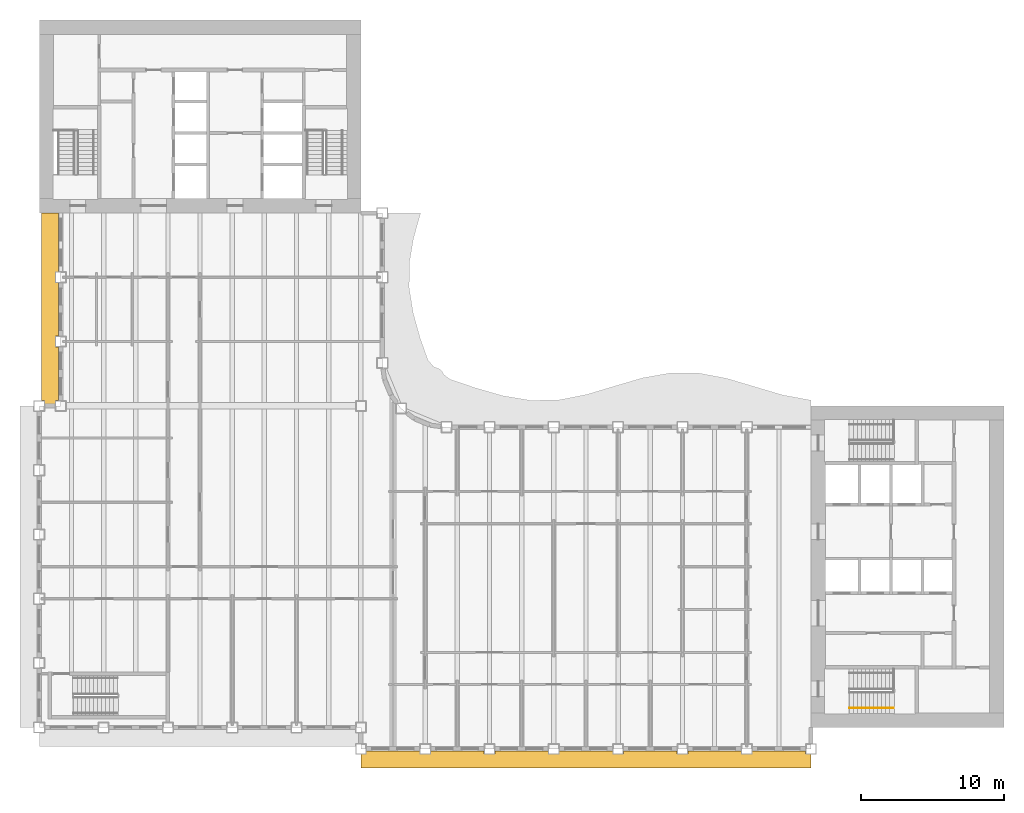
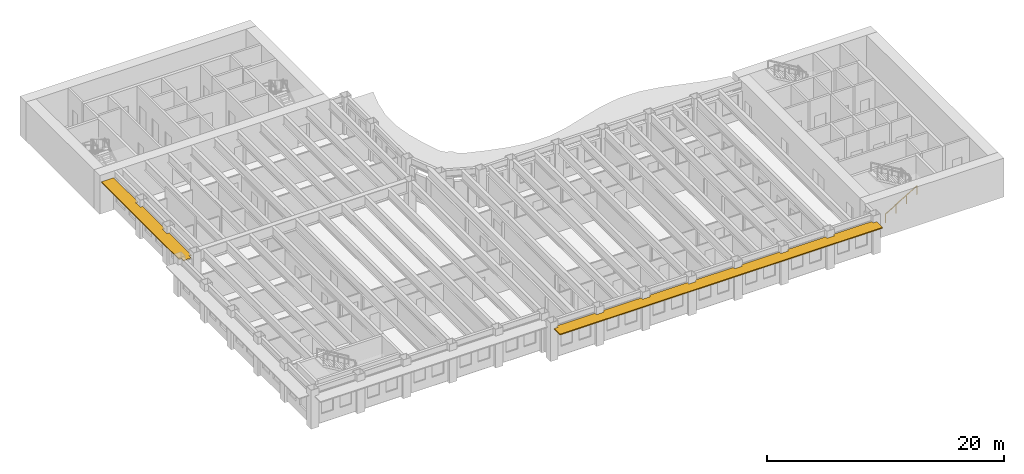
# One storey, part 13 of 17: 2 shading devices, 1 railing.
"""IFC4 building model written with IfcOpenShell, lengths in metres."""

from ifc_helpers import new_model, si_unit, direction, frame, origin, origin_2d, place, context, subcontext, project, spatial, polyline, rectangle, outline, extrude, material, layer, layer_set, type_object, element, save


model = new_model("IFC4")

# Units and contexts
model_context = context("Model", 3, precision=1e-05, world=origin(), true_north=direction((0.0, 1.0)))
body_context = subcontext(model_context, "Body", "Model", "MODEL_VIEW")
ifc_project = project(units=[si_unit("LENGTHUNIT", "METRE"), si_unit("AREAUNIT", "SQUARE_METRE"), si_unit("VOLUMEUNIT", "CUBIC_METRE"), si_unit("PLANEANGLEUNIT", "RADIAN"), si_unit("MASSUNIT", "GRAM", prefix="KILO")], contexts=[model_context])

# Site, building, storey
site_placement = place(None, origin())
site = spatial("IfcSite", under=ifc_project, at=site_placement, CompositionType="ELEMENT")
building_placement = place(site_placement, origin())
building = spatial("IfcBuilding", under=site, at=building_placement, Name="Sennacour Bend Tower", CompositionType="ELEMENT")
storey_placement = place(building_placement, frame((0.0, 0.0, 195.0)))
storey = spatial("IfcBuildingStorey", under=building, at=storey_placement, Name="L44", CompositionType="ELEMENT", Elevation=195.0)

# Railing
ifc_material_1 = material(Name="Stainless steel", Category="steel")
railing_type = type_object("IfcRailingType", Name="RL-HANDRAIL-900", PredefinedType="HANDRAIL", material=ifc_material_1)
railing_placement = place(storey_placement, frame((56.699951171875, 1.35009765625, 0.166748046875)))
element("IfcRailing", 1, at=railing_placement, inside=storey, type_object=railing_type, Name="L44 SA1 stair handrail 1", PredefinedType="HANDRAIL", context=body_context, shape_type="SweptSolid", body=[
    extrude(rectangle(XDim=0.048095703125, YDim=0.048095703125, at=origin_2d()), frame((0.0, 0.0, 0.8759765625), z_axis=(0.859308565015, 0.0, 0.511457515432), x_axis=(0.0, 1.0, 0.0)), (0.0, 0.0, 1.0), 3.58447265625),
    extrude(rectangle(XDim=0.0419921875, YDim=0.0419921875, at=origin_2d()), origin(), (0.0, 0.0, 1.0), 0.851806640625),
    extrude(rectangle(XDim=0.0419921875, YDim=0.0419921875, at=origin_2d()), frame((1.026611328125, 0.0, 0.611083984375)), (0.0, 0.0, 1.0), 0.851806640625),
    extrude(rectangle(XDim=0.0419921875, YDim=0.0419921875, at=origin_2d()), frame((2.053466796875, 0.0, 1.22216796875)), (0.0, 0.0, 1.0), 0.851806640625),
    extrude(rectangle(XDim=0.0419921875, YDim=0.0419921875, at=origin_2d()), frame((3.080078125, 0.0, 1.833251953125)), (0.0, 0.0, 1.0), 0.851806640625),
])

# Shading devices
ifc_material_2 = material(Name="Bronze anodised aluminium", Category="aluminium")
ifc_layer = layer(ifc_material_2, 0.10009765625, Name="Bronze anodised aluminium", Category="aluminium")
ifc_layer_set = layer_set([ifc_layer], Name="Bronze anodised aluminium")
shading_device_type = type_object("IfcShadingDeviceType", Name="SUNSHADE BAND STRAIGHT", PredefinedType="USERDEFINED", material=ifc_layer_set)
shading_device_1_placement = place(storey_placement, frame((0.0, 0.0, 3.056884765625)))
element("IfcShadingDevice", 2, at=shading_device_1_placement, inside=storey, type_object=shading_device_type, Name="Sunshade band L44 A outer face", ObjectType="SUNSHADE", PredefinedType="USERDEFINED", context=body_context, shape_type="SweptSolid", body=[
    extrude(outline(polyline([(26.625, -1.64990234375), (26.625, -1.875), (27.375, -1.875), (27.375, -1.64990234375), (31.125, -1.64990234375), (31.125, -1.875), (31.875, -1.875), (31.875, -1.64990234375), (35.625, -1.64990234375), (35.625, -1.875), (36.375, -1.875), (36.375, -1.64990234375), (40.125, -1.64990234375), (40.125, -1.875), (40.875, -1.875), (40.875, -1.64990234375), (44.625, -1.64990234375), (44.625, -1.875), (45.375, -1.875), (45.375, -1.64990234375), (49.125, -1.64990234375), (49.125, -1.875), (49.875, -1.875), (49.875, -1.64990234375), (53.625, -1.64990234375), (53.625, -1.875), (54.0, -1.875), (54.0, -2.85009765625), (22.5, -2.85009765625), (22.5, -1.875), (22.875, -1.875), (22.875, -1.64990234375), (26.625, -1.64990234375)])), origin(), (0.0, 0.0, 1.0), 0.10009765625),
])
shading_device_2_placement = place(storey_placement, frame((0.0, 0.0, 3.056884765625)))
element("IfcShadingDevice", 3, at=shading_device_2_placement, inside=storey, type_object=shading_device_type, Name="Sunshade band L44 B outer face", ObjectType="SUNSHADE", PredefinedType="USERDEFINED", context=body_context, shape_type="SweptSolid", body=[
    extrude(outline(polyline([(1.35009765625, 31.875), (1.125, 31.875), (1.125, 31.125), (1.35009765625, 31.125), (1.35009765625, 27.375), (1.125, 27.375), (1.125, 26.625), (1.35009765625, 26.625), (1.35009765625, 22.875), (1.125, 22.875), (1.125, 22.5), (0.375, 22.5), (0.375, 22.875), (0.14990234375, 22.875), (0.14990234375, 36.0), (1.35009765625, 36.0), (1.35009765625, 31.875)])), origin(), (0.0, 0.0, 1.0), 0.10009765625),
])

save(model, "model.ifc")
